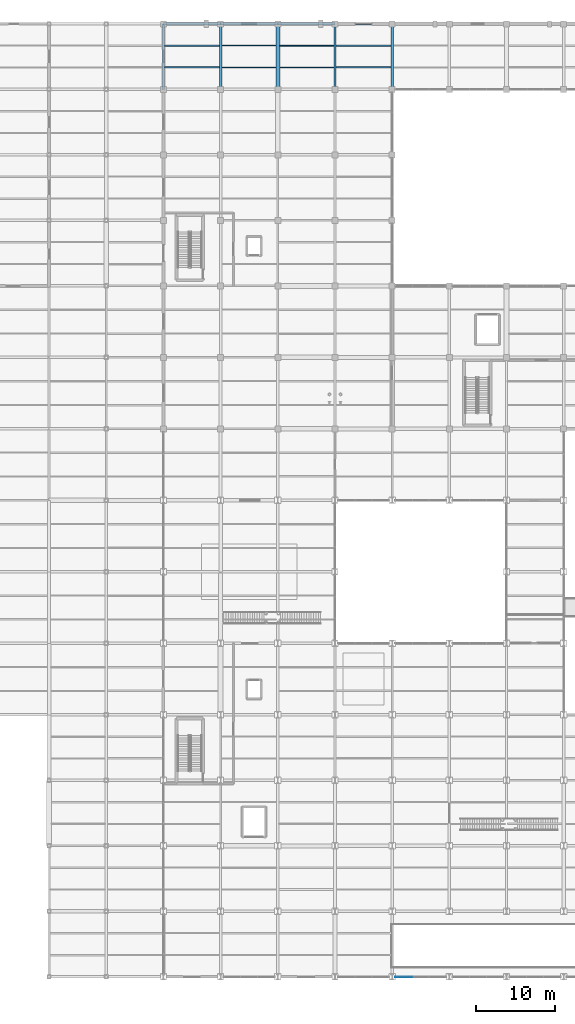
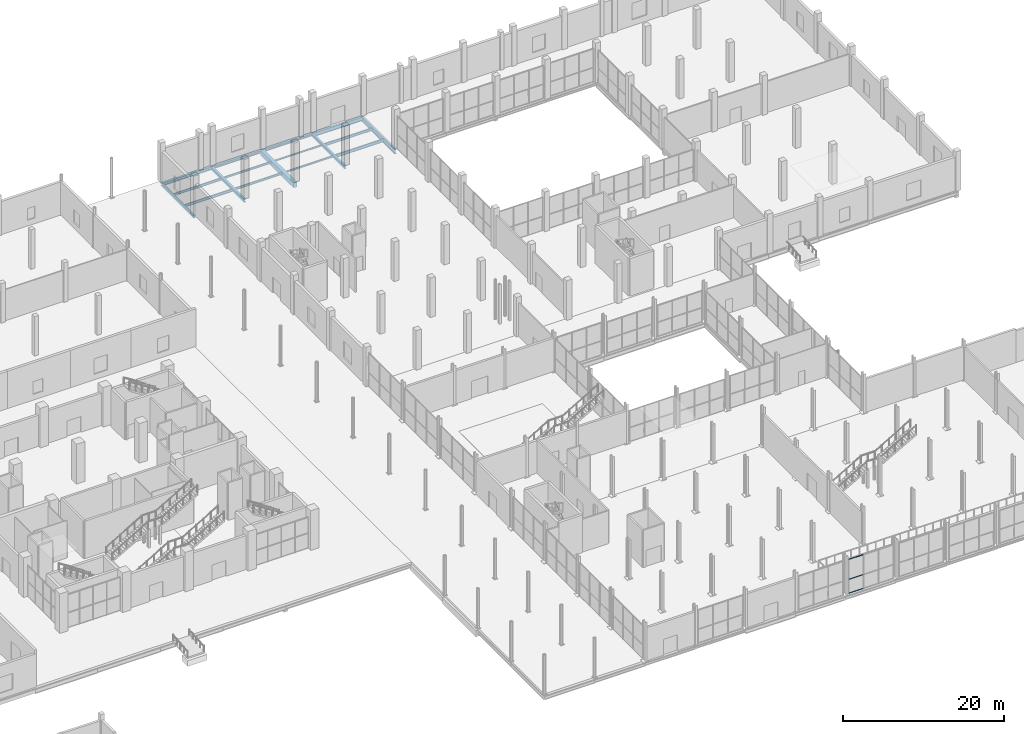
# One storey, part 76 of 144: 17 beams, 3 members, 1 element without a shape of its own.
"""IFC4 building model written with IfcOpenShell, lengths in metres."""

from ifc_helpers import new_model, si_unit, direction, frame, origin, origin_2d, place, context, subcontext, project, spatial, rectangle, hollow_rectangle, i_section, extrude, material, layer, layer_set, material_profile, profile_set, type_object, element, aggregate, save


model = new_model("IFC4")

# Units and contexts
model_context = context("Model", 3, precision=1e-05, world=origin(), true_north=direction((0.0, 1.0)))
body_context = subcontext(model_context, "Body", "Model", "MODEL_VIEW")
ifc_project = project(units=[si_unit("LENGTHUNIT", "METRE"), si_unit("AREAUNIT", "SQUARE_METRE"), si_unit("VOLUMEUNIT", "CUBIC_METRE"), si_unit("PLANEANGLEUNIT", "RADIAN"), si_unit("MASSUNIT", "GRAM", prefix="KILO")], contexts=[model_context])

# Site, building, storey
site_placement = place(None, origin())
site = spatial("IfcSite", under=ifc_project, at=site_placement, CompositionType="ELEMENT")
building_placement = place(site_placement, origin())
building = spatial("IfcBuilding", under=site, at=building_placement, Name="Sundgate Opera House", CompositionType="ELEMENT")
storey_placement = place(building_placement, origin())
storey = spatial("IfcBuildingStorey", under=building, at=storey_placement, Name="L00", CompositionType="ELEMENT", Elevation=0.0)

# Beams
ifc_material_1 = material(Name="Steel S355J2", Category="steel")
ifc_material_profile_1 = material_profile(ifc_material_1, i_section(OverallWidth=0.300048828125, OverallDepth=0.35009765625, WebThickness=0.010009765625, FlangeThickness=0.017578125, at=origin_2d()), Name="HEA 360")
ifc_profile_set_1 = profile_set([ifc_material_profile_1], Name="Steel S355J2")
beam_type_1 = type_object("IfcBeamType", Name="BM-GR-HEA360", PredefinedType="BEAM", material=ifc_profile_set_1)
beam_1_placement = place(storey_placement, frame((95.39990234375, 111.75, -0.4951171875), z_axis=(0.0, 1.0, 0.0), x_axis=(-1.0, 0.0, 0.0)))
element("IfcBeam", 1, at=beam_1_placement, inside=storey, type_object=beam_type_1, Name="L00 Primary N-S Girder B0203", PredefinedType="BEAM", context=body_context, shape_type="SweptSolid", body=[
    extrude(i_section(OverallWidth=0.300048828125, OverallDepth=0.35009765625, WebThickness=0.010009765625, FlangeThickness=0.017578125, at=origin_2d()), origin(), (0.0, 0.0, 1.0), 8.25),
])
ifc_material_2 = material(Name="Steel S355J2", Category="steel")
ifc_material_profile_2 = material_profile(ifc_material_2, i_section(OverallWidth=0.300048828125, OverallDepth=0.43994140625, WebThickness=0.011474609375, FlangeThickness=0.02099609375, at=origin_2d()), Name="HEA 450")
ifc_profile_set_2 = profile_set([ifc_material_profile_2], Name="Steel S355J2")
beam_type_2 = type_object("IfcBeamType", Name="BM-GR-HEA450", PredefinedType="BEAM", material=ifc_profile_set_2)
beam_2_placement = place(storey_placement, frame((117.0, 111.75, -0.5400390625), z_axis=(0.0, 1.0, 0.0), x_axis=(-1.0, 0.0, 0.0)))
element("IfcBeam", 2, at=beam_2_placement, inside=storey, type_object=beam_type_2, Name="L00 Primary N-S Girder B0245", PredefinedType="BEAM", context=body_context, shape_type="SweptSolid", body=[
    extrude(i_section(OverallWidth=0.300048828125, OverallDepth=0.43994140625, WebThickness=0.011474609375, FlangeThickness=0.02099609375, at=origin_2d()), origin(), (0.0, 0.0, 1.0), 8.25),
])
ifc_material_3 = material(Name="Steel S355J2", Category="steel")
ifc_material_profile_3 = material_profile(ifc_material_3, i_section(OverallWidth=0.300048828125, OverallDepth=0.590087890625, WebThickness=0.012939453125, FlangeThickness=0.02490234375, at=origin_2d()), Name="HEA 600")
ifc_profile_set_3 = profile_set([ifc_material_profile_3], Name="Steel S355J2")
beam_type_3 = type_object("IfcBeamType", Name="BM-GR-HEA600", PredefinedType="BEAM", material=ifc_profile_set_3)
beam_3_placement = place(storey_placement, frame((117.0, 120.0, -0.614990234375), z_axis=(1.0, 0.0, 0.0), x_axis=(0.0, 1.0, 0.0)))
element("IfcBeam", 3, at=beam_3_placement, inside=storey, type_object=beam_type_3, Name="L00 Primary E-W Girder B0594", PredefinedType="BEAM", context=body_context, shape_type="SweptSolid", body=[
    extrude(i_section(OverallWidth=0.300048828125, OverallDepth=0.590087890625, WebThickness=0.012939453125, FlangeThickness=0.02490234375, at=origin_2d()), origin(), (0.0, 0.0, 1.0), 7.199951171875),
])
ifc_material_4 = material(Name="Steel S355J2", Category="steel")
ifc_material_profile_4 = material_profile(ifc_material_4, i_section(OverallWidth=0.300048828125, OverallDepth=0.360107421875, WebThickness=0.012451171875, FlangeThickness=0.0224609375, at=origin_2d()), Name="HEB 360")
ifc_profile_set_4 = profile_set([ifc_material_profile_4], Name="Steel S355J2")
beam_type_4 = type_object("IfcBeamType", Name="BM-GR-HEB360", PredefinedType="BEAM", material=ifc_profile_set_4)
beam_4_placement = place(storey_placement, frame((109.800048828125, 120.0, -0.5), z_axis=(1.0, 0.0, 0.0), x_axis=(0.0, 1.0, 0.0)))
element("IfcBeam", 4, at=beam_4_placement, inside=storey, type_object=beam_type_4, Name="L00 Primary E-W Girder B0593", PredefinedType="BEAM", context=body_context, shape_type="SweptSolid", body=[
    extrude(i_section(OverallWidth=0.300048828125, OverallDepth=0.360107421875, WebThickness=0.012451171875, FlangeThickness=0.0224609375, at=origin_2d()), origin(), (0.0, 0.0, 1.0), 7.199951171875),
])
ifc_material_5 = material(Name="Steel S355J2", Category="steel")
ifc_material_profile_5 = material_profile(ifc_material_5, i_section(OverallWidth=0.300048828125, OverallDepth=0.39990234375, WebThickness=0.013427734375, FlangeThickness=0.02392578125, at=origin_2d()), Name="HEB 400")
ifc_profile_set_5 = profile_set([ifc_material_profile_5], Name="Steel S355J2")
beam_type_5 = type_object("IfcBeamType", Name="BM-GR-HEB400", PredefinedType="BEAM", material=ifc_profile_set_5)
beam_5_placement = place(storey_placement, frame((102.60009765625, 120.0, -0.52001953125), z_axis=(1.0, 0.0, 0.0), x_axis=(0.0, 1.0, 0.0)))
element("IfcBeam", 5, at=beam_5_placement, inside=storey, type_object=beam_type_5, Name="L00 Primary E-W Girder B0592", PredefinedType="BEAM", context=body_context, shape_type="SweptSolid", body=[
    extrude(i_section(OverallWidth=0.300048828125, OverallDepth=0.39990234375, WebThickness=0.013427734375, FlangeThickness=0.02392578125, at=origin_2d()), origin(), (0.0, 0.0, 1.0), 7.199951171875),
])
ifc_material_6 = material(Name="Steel S355J2", Category="steel")
ifc_material_profile_6 = material_profile(ifc_material_6, i_section(OverallWidth=0.300048828125, OverallDepth=0.449951171875, WebThickness=0.013916015625, FlangeThickness=0.02587890625, at=origin_2d()), Name="HEB 450")
ifc_profile_set_6 = profile_set([ifc_material_profile_6], Name="Steel S355J2")
beam_type_6 = type_object("IfcBeamType", Name="BM-GR-HEB450", PredefinedType="BEAM", material=ifc_profile_set_6)
beam_6_placement = place(storey_placement, frame((95.39990234375, 120.0, -0.544921875), z_axis=(1.0, 0.0, 0.0), x_axis=(0.0, 1.0, 0.0)))
element("IfcBeam", 6, at=beam_6_placement, inside=storey, type_object=beam_type_6, Name="L00 Primary E-W Girder B0591", PredefinedType="BEAM", context=body_context, shape_type="SweptSolid", body=[
    extrude(i_section(OverallWidth=0.300048828125, OverallDepth=0.449951171875, WebThickness=0.013916015625, FlangeThickness=0.02587890625, at=origin_2d()), origin(), (0.0, 0.0, 1.0), 7.2001953125),
])
ifc_material_7 = material(Name="Steel S355J2", Category="steel")
ifc_material_profile_7 = material_profile(ifc_material_7, i_section(OverallWidth=0.300048828125, OverallDepth=0.5, WebThickness=0.014404296875, FlangeThickness=0.028076171875, at=origin_2d()), Name="HEB 500")
ifc_profile_set_7 = profile_set([ifc_material_profile_7], Name="Steel S355J2")
beam_type_7 = type_object("IfcBeamType", Name="BM-GR-HEB500", PredefinedType="BEAM", material=ifc_profile_set_7)
beam_7_placement = place(storey_placement, frame((102.60009765625, 111.75, -0.570068359375), z_axis=(0.0, 1.0, 0.0), x_axis=(-1.0, 0.0, 0.0)))
element("IfcBeam", 7, at=beam_7_placement, inside=storey, type_object=beam_type_7, Name="L00 Primary N-S Girder B0217", PredefinedType="BEAM", context=body_context, shape_type="SweptSolid", body=[
    extrude(i_section(OverallWidth=0.300048828125, OverallDepth=0.5, WebThickness=0.014404296875, FlangeThickness=0.028076171875, at=origin_2d()), origin(), (0.0, 0.0, 1.0), 8.25),
])
ifc_material_8 = material(Name="Steel S355J2", Category="steel")
ifc_material_profile_8 = material_profile(ifc_material_8, i_section(OverallWidth=0.300048828125, OverallDepth=0.699951171875, WebThickness=0.01708984375, FlangeThickness=0.031982421875, at=origin_2d()), Name="HEB 700")
ifc_profile_set_8 = profile_set([ifc_material_profile_8], Name="Steel S355J2")
beam_type_8 = type_object("IfcBeamType", Name="BM-GR-HEB700", PredefinedType="BEAM", material=ifc_profile_set_8)
beam_8_placement = place(storey_placement, frame((124.199951171875, 111.75, -0.669921875), z_axis=(0.0, 1.0, 0.0), x_axis=(-1.0, 0.0, 0.0)))
element("IfcBeam", 8, at=beam_8_placement, inside=storey, type_object=beam_type_8, Name="L00 Primary N-S Girder B0257", PredefinedType="BEAM", context=body_context, shape_type="SweptSolid", body=[
    extrude(i_section(OverallWidth=0.300048828125, OverallDepth=0.699951171875, WebThickness=0.01708984375, FlangeThickness=0.031982421875, at=origin_2d()), origin(), (0.0, 0.0, 1.0), 8.25),
])
ifc_material_9 = material(Name="Steel S355J2", Category="steel")
ifc_material_profile_9 = material_profile(ifc_material_9, i_section(OverallWidth=0.1201171875, OverallDepth=0.239990234375, WebThickness=0.006103515625, FlangeThickness=0.009765625, at=origin_2d()), Name="IPE 240")
ifc_profile_set_9 = profile_set([ifc_material_profile_9], Name="Steel S355J2")
beam_type_9 = type_object("IfcBeamType", Name="BM-JS-IPE240", PredefinedType="JOIST", material=ifc_profile_set_9)
beam_9_placement = place(storey_placement, frame((110.050048828125, 117.25, -0.43994140625), z_axis=(1.0, 0.0, 0.0), x_axis=(0.0, 1.0, 0.0)))
element("IfcBeam", 9, at=beam_9_placement, inside=storey, type_object=beam_type_9, Name="L00 Secondary Floor Joist B1049", PredefinedType="JOIST", context=body_context, shape_type="SweptSolid", body=[
    extrude(i_section(OverallWidth=0.1201171875, OverallDepth=0.239990234375, WebThickness=0.006103515625, FlangeThickness=0.009765625, at=origin_2d()), origin(), (0.0, 0.0, 1.0), 6.800048828125),
])
ifc_material_10 = material(Name="Steel S355J2", Category="steel")
ifc_material_profile_10 = material_profile(ifc_material_10, i_section(OverallWidth=0.135009765625, OverallDepth=0.27001953125, WebThickness=0.006591796875, FlangeThickness=0.01025390625, at=origin_2d()), Name="IPE 270")
ifc_profile_set_10 = profile_set([ifc_material_profile_10], Name="Steel S355J2")
beam_type_10 = type_object("IfcBeamType", Name="BM-JS-IPE270", PredefinedType="JOIST", material=ifc_profile_set_10)
beam_10_placement = place(storey_placement, frame((110.050048828125, 114.5, -0.455078125), z_axis=(1.0, 0.0, 0.0), x_axis=(0.0, 1.0, 0.0)))
element("IfcBeam", 10, at=beam_10_placement, inside=storey, type_object=beam_type_10, Name="L00 Secondary Floor Joist B1048", PredefinedType="JOIST", context=body_context, shape_type="SweptSolid", body=[
    extrude(i_section(OverallWidth=0.135009765625, OverallDepth=0.27001953125, WebThickness=0.006591796875, FlangeThickness=0.01025390625, at=origin_2d()), origin(), (0.0, 0.0, 1.0), 6.800048828125),
])
ifc_material_11 = material(Name="Steel S355J2", Category="steel")
ifc_material_profile_11 = material_profile(ifc_material_11, i_section(OverallWidth=0.14990234375, OverallDepth=0.300048828125, WebThickness=0.007080078125, FlangeThickness=0.0107421875, at=origin_2d()), Name="IPE 300")
ifc_profile_set_11 = profile_set([ifc_material_profile_11], Name="Steel S355J2")
beam_type_11 = type_object("IfcBeamType", Name="BM-JS-IPE300", PredefinedType="JOIST", material=ifc_profile_set_11)
beam_11_placement = place(storey_placement, frame((102.75, 117.25, -0.469970703125), z_axis=(1.0, 0.0, 0.0), x_axis=(0.0, 1.0, 0.0)))
element("IfcBeam", 11, at=beam_11_placement, inside=storey, type_object=beam_type_11, Name="L00 Secondary Floor Joist B1047", PredefinedType="JOIST", context=body_context, shape_type="SweptSolid", body=[
    extrude(i_section(OverallWidth=0.14990234375, OverallDepth=0.300048828125, WebThickness=0.007080078125, FlangeThickness=0.0107421875, at=origin_2d()), origin(), (0.0, 0.0, 1.0), 6.800048828125),
])
ifc_material_12 = material(Name="Steel S355J2", Category="steel")
ifc_material_profile_12 = material_profile(ifc_material_12, i_section(OverallWidth=0.159912109375, OverallDepth=0.330078125, WebThickness=0.007568359375, FlangeThickness=0.011474609375, at=origin_2d()), Name="IPE 330")
ifc_profile_set_12 = profile_set([ifc_material_profile_12], Name="Steel S355J2")
beam_type_12 = type_object("IfcBeamType", Name="BM-JS-IPE330", PredefinedType="JOIST", material=ifc_profile_set_12)
beam_12_placement = place(storey_placement, frame((102.75, 114.5, -0.485107421875), z_axis=(1.0, 0.0, 0.0), x_axis=(0.0, 1.0, 0.0)))
element("IfcBeam", 12, at=beam_12_placement, inside=storey, type_object=beam_type_12, Name="L00 Secondary Floor Joist B1046", PredefinedType="JOIST", context=body_context, shape_type="SweptSolid", body=[
    extrude(i_section(OverallWidth=0.159912109375, OverallDepth=0.330078125, WebThickness=0.007568359375, FlangeThickness=0.011474609375, at=origin_2d()), origin(), (0.0, 0.0, 1.0), 6.800048828125),
])
ifc_material_13 = material(Name="Steel S355J2", Category="steel")
ifc_material_profile_13 = material_profile(ifc_material_13, i_section(OverallWidth=0.169921875, OverallDepth=0.360107421875, WebThickness=0.008056640625, FlangeThickness=0.0126953125, at=origin_2d()), Name="IPE 360")
ifc_profile_set_13 = profile_set([ifc_material_profile_13], Name="Steel S355J2")
beam_type_13 = type_object("IfcBeamType", Name="BM-JS-IPE360", PredefinedType="JOIST", material=ifc_profile_set_13)
beam_13_placement = place(storey_placement, frame((95.550048828125, 117.25, -0.5), z_axis=(1.0, 0.0, 0.0), x_axis=(0.0, 1.0, 0.0)))
element("IfcBeam", 13, at=beam_13_placement, inside=storey, type_object=beam_type_13, Name="L00 Secondary Floor Joist B1045", PredefinedType="JOIST", context=body_context, shape_type="SweptSolid", body=[
    extrude(i_section(OverallWidth=0.169921875, OverallDepth=0.360107421875, WebThickness=0.008056640625, FlangeThickness=0.0126953125, at=origin_2d()), origin(), (0.0, 0.0, 1.0), 6.89990234375),
])
ifc_material_14 = material(Name="Steel S355J2", Category="steel")
ifc_material_profile_14 = material_profile(ifc_material_14, i_section(OverallWidth=0.179931640625, OverallDepth=0.39990234375, WebThickness=0.008544921875, FlangeThickness=0.013427734375, at=origin_2d()), Name="IPE 400")
ifc_profile_set_14 = profile_set([ifc_material_profile_14], Name="Steel S355J2")
beam_type_14 = type_object("IfcBeamType", Name="BM-JS-IPE400", PredefinedType="JOIST", material=ifc_profile_set_14)
beam_14_placement = place(storey_placement, frame((95.550048828125, 114.5, -0.52001953125), z_axis=(1.0, 0.0, 0.0), x_axis=(0.0, 1.0, 0.0)))
element("IfcBeam", 14, at=beam_14_placement, inside=storey, type_object=beam_type_14, Name="L00 Secondary Floor Joist B1044", PredefinedType="JOIST", context=body_context, shape_type="SweptSolid", body=[
    extrude(i_section(OverallWidth=0.179931640625, OverallDepth=0.39990234375, WebThickness=0.008544921875, FlangeThickness=0.013427734375, at=origin_2d()), origin(), (0.0, 0.0, 1.0), 6.89990234375),
])
beam_15_placement = place(storey_placement, frame((117.14990234375, 117.25, -0.52001953125), z_axis=(1.0, 0.0, 0.0), x_axis=(0.0, 1.0, 0.0)))
element("IfcBeam", 15, at=beam_15_placement, inside=storey, type_object=beam_type_14, Name="L00 Secondary Floor Joist B1051", PredefinedType="JOIST", context=body_context, shape_type="SweptSolid", body=[
    extrude(i_section(OverallWidth=0.179931640625, OverallDepth=0.39990234375, WebThickness=0.008544921875, FlangeThickness=0.013427734375, at=origin_2d()), origin(), (0.0, 0.0, 1.0), 6.900146484375),
])
ifc_material_15 = material(Name="Steel S355J2", Category="steel")
ifc_material_profile_15 = material_profile(ifc_material_15, i_section(OverallWidth=0.18994140625, OverallDepth=0.449951171875, WebThickness=0.009521484375, FlangeThickness=0.0146484375, at=origin_2d()), Name="IPE 450")
ifc_profile_set_15 = profile_set([ifc_material_profile_15], Name="Steel S355J2")
beam_type_15 = type_object("IfcBeamType", Name="BM-JS-IPE450", PredefinedType="JOIST", material=ifc_profile_set_15)
beam_16_placement = place(storey_placement, frame((117.14990234375, 114.5, -0.544921875), z_axis=(1.0, 0.0, 0.0), x_axis=(0.0, 1.0, 0.0)))
element("IfcBeam", 16, at=beam_16_placement, inside=storey, type_object=beam_type_15, Name="L00 Secondary Floor Joist B1050", PredefinedType="JOIST", context=body_context, shape_type="SweptSolid", body=[
    extrude(i_section(OverallWidth=0.18994140625, OverallDepth=0.449951171875, WebThickness=0.009521484375, FlangeThickness=0.0146484375, at=origin_2d()), origin(), (0.0, 0.0, 1.0), 6.900146484375),
])
ifc_material_16 = material(Name="Concrete C40/50", Category="concrete")
ifc_material_profile_16 = material_profile(ifc_material_16, rectangle(XDim=0.5, YDim=0.75, at=origin_2d()), Name="RC 500x750")
ifc_profile_set_16 = profile_set([ifc_material_profile_16], Name="Concrete C40/50")
beam_type_16 = type_object("IfcBeamType", Name="BM-RC-500x750", PredefinedType="BEAM", material=ifc_profile_set_16)
beam_17_placement = place(storey_placement, frame((109.800048828125, 111.75, -0.695068359375), z_axis=(0.0, 1.0, 0.0), x_axis=(-1.0, 0.0, 0.0)))
element("IfcBeam", 17, at=beam_17_placement, inside=storey, type_object=beam_type_16, Name="L00 Primary N-S Girder B0231", PredefinedType="BEAM", context=body_context, shape_type="SweptSolid", body=[
    extrude(rectangle(XDim=0.5, YDim=0.75, at=origin_2d()), origin(), (0.0, 0.0, 1.0), 8.25),
])

# Curtain wall, members
ifc_material_17 = material(Name="Anodized aluminium and low-iron glass", Category="aluminium")
ifc_layer = layer(ifc_material_17, 0.14990234375)
ifc_layer_set = layer_set([ifc_layer], Name="Anodized aluminium and low-iron glass")
curtain_wall_type = type_object("IfcCurtainWallType", Name="CW-WORKSHOP-DARK", PredefinedType="NOTDEFINED", material=ifc_layer_set)
curtain_wall_placement = place(storey_placement, origin())
curtain_wall = element("IfcCurtainWall", 18, at=curtain_wall_placement, inside=storey, type_object=curtain_wall_type, Name="L00 Curtain Wall CW124", PredefinedType="NOTDEFINED")
ifc_material_18 = material(Name="Anodized aluminium EN AW-6063", Category="aluminium")
ifc_material_profile_17 = material_profile(ifc_material_18, hollow_rectangle(XDim=0.054931640625, YDim=0.1201171875, WallThickness=0.00390625, at=origin_2d()), Name="CWT 120x55x4")
ifc_profile_set_17 = profile_set([ifc_material_profile_17], Name="Anodized aluminium EN AW-6063")
member_type = type_object("IfcMemberType", Name="CWT-ALU-120x55", PredefinedType="USERDEFINED", material=ifc_profile_set_17)
member_1_placement = place(storey_placement, frame((126.7333984375, 0.0, 0.0), z_axis=(-1.0, 0.0, 0.0), x_axis=(0.0, -1.0, 0.0)))
member_1 = element("IfcMember", 19, at=member_1_placement, type_object=member_type, Name="CW124 Transom 7", ObjectType="TRANSOM", PredefinedType="USERDEFINED", context=body_context, shape_type="SweptSolid", body=[
    extrude(hollow_rectangle(XDim=0.054931640625, YDim=0.1201171875, WallThickness=0.00390625, at=origin_2d()), origin(), (0.0, 0.0, 1.0), 2.13330078125),
])
member_2_placement = place(storey_placement, frame((126.7333984375, 0.0, 2.10009765625), z_axis=(-1.0, 0.0, 0.0), x_axis=(0.0, -1.0, 0.0)))
member_2 = element("IfcMember", 20, at=member_2_placement, type_object=member_type, Name="CW124 Transom 8", ObjectType="TRANSOM", PredefinedType="USERDEFINED", context=body_context, shape_type="SweptSolid", body=[
    extrude(hollow_rectangle(XDim=0.054931640625, YDim=0.1201171875, WallThickness=0.00390625, at=origin_2d()), origin(), (0.0, 0.0, 1.0), 2.13330078125),
])
member_3_placement = place(storey_placement, frame((126.7333984375, 0.0, 5.114990234375), z_axis=(-1.0, 0.0, 0.0), x_axis=(0.0, -1.0, 0.0)))
member_3 = element("IfcMember", 21, at=member_3_placement, type_object=member_type, Name="CW124 Transom 9", ObjectType="TRANSOM", PredefinedType="USERDEFINED", context=body_context, shape_type="SweptSolid", body=[
    extrude(hollow_rectangle(XDim=0.054931640625, YDim=0.1201171875, WallThickness=0.00390625, at=origin_2d()), origin(), (0.0, 0.0, 1.0), 2.13330078125),
])
aggregate(curtain_wall, [member_1, member_2, member_3])

save(model, "model.ifc")
